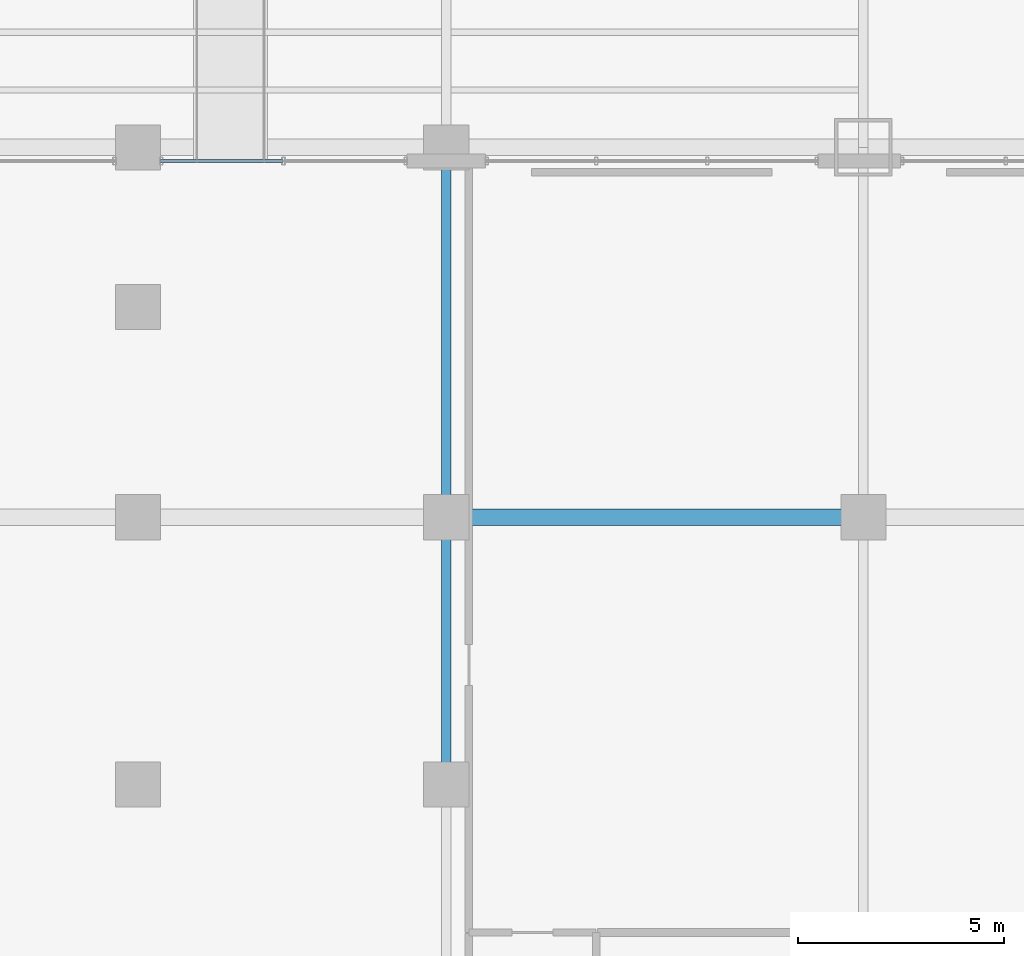
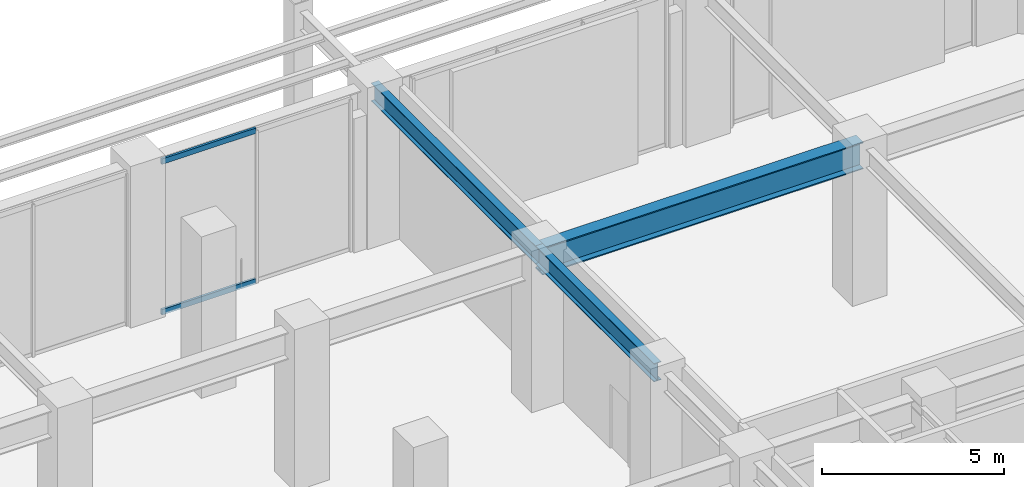
# One storey, part 10 of 23: 3 beams, 2 members, 1 element without a shape of its own.
"""IFC4 building model written with IfcOpenShell, lengths in metres."""

import ifcopenshell
import ifcopenshell.guid

model = None  # the IFC model being written
_history = None  # IfcOwnerHistory: only IFC2X3 demands one
_inside = {}  # id of a spatial element -> (the spatial element, [elements in it])
_under = {}  # id of a project, library or spatial element -> (it, [spatial elements below it])
_declared = {}  # id of a project -> (the project, [libraries it declares])
_typed = {}  # id of a type object -> (the type object, [elements of that type])
_made_of = {}  # id of a material, layer set ... -> (it, [elements and type objects made of it])


def new_model(schema):
    """Start an empty IFC model of exactly this schema.

    Asked for "IFC4X3", IfcOpenShell would pick the latest addendum, in which some entities
    have other attributes; the version numbers below select the first issue.
    IFC2X3 requires an IfcOwnerHistory on every rooted entity: one is made here for all.
    """
    global model, _history
    if schema == "IFC4X3":
        model = ifcopenshell.file(schema_version=(4, 3, 0, 0))
    else:
        model = ifcopenshell.file(schema=schema)
    _inside.clear()
    _under.clear()
    _declared.clear()
    _typed.clear()
    _made_of.clear()
    _history = None
    if model.schema == "IFC2X3":
        org = make("IfcOrganization", Name="unknown")
        user = make(
            "IfcPersonAndOrganization",
            ThePerson=make("IfcPerson", FamilyName="unknown"),
            TheOrganization=org,
        )
        app = make(
            "IfcApplication",
            ApplicationDeveloper=org,
            Version="unknown",
            ApplicationFullName="unknown",
            ApplicationIdentifier="unknown",
        )
        _history = make(
            "IfcOwnerHistory",
            OwningUser=user,
            OwningApplication=app,
            ChangeAction="ADDED",
            CreationDate=0,
        )
    return model


def make(cls, **values):
    """One entity of the class cls with the attributes given. An attribute that is None is left unset."""
    return model.create_entity(
        cls, **{name: value for name, value in values.items() if value is not None}
    )


def rooted(cls, **values):
    """An entity with a GlobalId (a new one), such as an element, a storey or a relation."""
    return make(cls, GlobalId=ifcopenshell.guid.new(), OwnerHistory=_history, **values)


def si_unit(unit_type, name, prefix=None):
    """IfcSIUnit, for example si_unit("LENGTHUNIT", "METRE", prefix="MILLI")."""
    return make("IfcSIUnit", UnitType=unit_type, Prefix=prefix, Name=name)


def assignment(units):
    """IfcUnitAssignment: the units of a project."""
    return None if units is None else make("IfcUnitAssignment", Units=units)


def point(xyz):
    """IfcCartesianPoint."""
    return None if xyz is None else make("IfcCartesianPoint", Coordinates=xyz)


def direction(xyz):
    """IfcDirection."""
    return None if xyz is None else make("IfcDirection", DirectionRatios=xyz)


def frame(location, z_axis=None, x_axis=None):
    """IfcAxis2Placement3D, a coordinate frame: its origin and axes. An axis left out is left unset."""
    return make(
        "IfcAxis2Placement3D",
        Location=point(location),
        Axis=direction(z_axis),
        RefDirection=direction(x_axis),
    )


def frame_2d(location, x_axis=None):
    """IfcAxis2Placement2D, a coordinate frame in the plane: its origin and x axis."""
    return make(
        "IfcAxis2Placement2D", Location=point(location), RefDirection=direction(x_axis)
    )


def origin():
    """The frame at (0, 0, 0) with its axes left unset."""
    return frame((0.0, 0.0, 0.0))


def origin_2d():
    """The frame at (0, 0) in the plane with its x axis left unset."""
    return frame_2d((0.0, 0.0))


def place(relative_to, where):
    """IfcLocalPlacement: puts the frame where relative to a parent placement (None: the world)."""
    return make(
        "IfcLocalPlacement", PlacementRelTo=relative_to, RelativePlacement=where
    )


def context(
    kind, dimensions, precision=None, world=None, true_north=None, identifier=None
):
    """IfcGeometricRepresentationContext, for example the 3D "Model" context."""
    return make(
        "IfcGeometricRepresentationContext",
        ContextIdentifier=identifier,
        ContextType=kind,
        CoordinateSpaceDimension=dimensions,
        Precision=precision,
        WorldCoordinateSystem=world,
        TrueNorth=true_north,
    )


def subcontext(parent, identifier, kind, view, scale=None):
    """IfcGeometricRepresentationSubContext, for example "Body" below "Model"."""
    return make(
        "IfcGeometricRepresentationSubContext",
        ContextIdentifier=identifier,
        ContextType=kind,
        ParentContext=parent,
        TargetScale=scale,
        TargetView=view,
    )


def project(units=None, contexts=None):
    """IfcProject with its units and contexts."""
    return rooted(
        "IfcProject",
        Name="project",
        RepresentationContexts=contexts,
        UnitsInContext=assignment(units),
    )


def spatial(cls, under=None, at=None, **own):
    """A site, building, storey or space (cls), placed at a placement, below another one or the project."""
    s = rooted(cls, ObjectPlacement=at, **own)
    if under is not None:
        _under.setdefault(under.id(), (under, []))[1].append(s)
    return s


def profile(cls, at=None, kind="AREA", **sizes):
    """A parametric profile (cls). Its sizes go by their IFC names, for example OverallWidth=200.0."""
    return make(cls, ProfileType=kind, Position=at, **sizes)


def hollow_rectangle(**sizes):
    """IfcRectangleHollowProfileDef."""
    return profile("IfcRectangleHollowProfileDef", **sizes)


def i_section(**sizes):
    """IfcIShapeProfileDef."""
    return profile("IfcIShapeProfileDef", **sizes)


def extrude(swept, where, along, depth):
    """IfcExtrudedAreaSolid: the profile swept, set in the frame where, extruded along a direction by depth."""
    return make(
        "IfcExtrudedAreaSolid",
        SweptArea=swept,
        Position=where,
        ExtrudedDirection=direction(along),
        Depth=depth,
    )


def shape(context_of_items, identifier, shape_type, items):
    """IfcShapeRepresentation: the items that make up one representation, for example the "Body"."""
    return make(
        "IfcShapeRepresentation",
        ContextOfItems=context_of_items,
        RepresentationIdentifier=identifier,
        RepresentationType=shape_type,
        Items=items,
    )


def material(Name=None, Category=None):
    """IfcMaterial."""
    return make("IfcMaterial", Name=Name, Category=Category)


def material_profile(
    of_material, cross_section, Name=None, Category=None, Priority=None
):
    """IfcMaterialProfile: a cross section and its material."""
    return make(
        "IfcMaterialProfile",
        Name=Name,
        Material=of_material,
        Profile=cross_section,
        Priority=Priority,
        Category=Category,
    )


def profile_set(profiles, Name=None, composite=None):
    """IfcMaterialProfileSet."""
    return make(
        "IfcMaterialProfileSet",
        Name=Name,
        MaterialProfiles=profiles,
        CompositeProfile=composite,
    )


def made_of(thing, what):
    """Note that an element or type object is made of a material, layer set ...; save() writes the relation."""
    if what is not None:
        _made_of.setdefault(what.id(), (what, []))[1].append(thing)
    return thing


def type_object(cls, material=None, **own):
    """A type object (cls), such as IfcWallType, which elements share."""
    return made_of(rooted(cls, **own), material)


def element(
    cls,
    number,
    at=None,
    inside=None,
    cuts=None,
    type_object=None,
    material=None,
    context=None,
    identifier="Body",
    shape_type=None,
    held_by="IfcProductDefinitionShape",
    body=None,
    shapes=None,
    **own,
):
    """One element of the class cls, such as IfcWall. Its Tag is "e" and its number.

    at: its placement. inside: the storey or other place that contains it. cuts: it is an
    opening in that element (IfcRelVoidsElement). A single representation is given by context,
    identifier, shape_type and body (its items); several are given by shapes. held_by: the class
    of the entity that holds the representations. save() writes the other relations.
    """
    e = rooted(cls, Tag="e%d" % number, ObjectPlacement=at, **own)
    if body is not None:
        shapes = [shape(context, identifier, shape_type, body)]
    if shapes is not None:
        e.Representation = make(held_by, Representations=shapes)
    if inside is not None:
        _inside.setdefault(inside.id(), (inside, []))[1].append(e)
    if cuts is not None:
        rooted(
            "IfcRelVoidsElement", RelatingBuildingElement=cuts, RelatedOpeningElement=e
        )
    if type_object is not None:
        _typed.setdefault(type_object.id(), (type_object, []))[1].append(e)
    return made_of(e, material)


def aggregate(whole, parts):
    """IfcRelAggregates: a whole, such as a stair, and the parts it consists of."""
    return rooted("IfcRelAggregates", RelatingObject=whole, RelatedObjects=parts)


def save(model, path):
    """Write the relations noted so far, then the file.

    IfcRelAggregates (storeys below a building ...), IfcRelContainedInSpatialStructure (elements
    in a storey), IfcRelDefinesByType, IfcRelAssociatesMaterial and IfcRelDeclares: one each for
    every whole, place, type object, material and project.
    """
    for whole, parts in _under.values():
        aggregate(whole, parts)
    for where, things in _inside.values():
        rooted(
            "IfcRelContainedInSpatialStructure",
            RelatedElements=things,
            RelatingStructure=where,
        )
    for kind, things in _typed.values():
        rooted("IfcRelDefinesByType", RelatedObjects=things, RelatingType=kind)
    for what, things in _made_of.values():
        rooted("IfcRelAssociatesMaterial", RelatedObjects=things, RelatingMaterial=what)
    for by, libraries in _declared.values():
        rooted("IfcRelDeclares", RelatingContext=by, RelatedDefinitions=libraries)
    model.write(path)


model = new_model("IFC4")

# Units and contexts
model_context = context("Model", 3, precision=1e-05, world=origin(), true_north=direction((0.0, 1.0)))
body_context = subcontext(model_context, "Body", "Model", "MODEL_VIEW")
ifc_project = project(units=[si_unit("LENGTHUNIT", "METRE"), si_unit("AREAUNIT", "SQUARE_METRE"), si_unit("VOLUMEUNIT", "CUBIC_METRE"), si_unit("PLANEANGLEUNIT", "RADIAN"), si_unit("MASSUNIT", "GRAM", prefix="KILO")], contexts=[model_context])

# Site, building, storey
site_placement = place(None, origin())
site = spatial("IfcSite", under=ifc_project, at=site_placement, CompositionType="ELEMENT")
building_placement = place(site_placement, origin())
building = spatial("IfcBuilding", under=site, at=building_placement, Name="Ventersveld Concourse Tower", CompositionType="ELEMENT")
storey_placement = place(building_placement, origin())
storey = spatial("IfcBuildingStorey", under=building, at=storey_placement, Name="L00", CompositionType="ELEMENT", Elevation=0.0)

# Curtain wall, members
ifc_material_1 = material(Name="Anodised aluminium EN AW-6063-T6", Category="aluminium")
curtain_wall_type = type_object("IfcCurtainWallType", Name="CW-CONC-1", PredefinedType="NOTDEFINED", material=ifc_material_1)
curtain_wall_placement = place(storey_placement, origin())
curtain_wall = element("IfcCurtainWall", 1, at=curtain_wall_placement, inside=storey, type_object=curtain_wall_type, Name="L00 Station Concourse North Storefront 3", PredefinedType="NOTDEFINED")
ifc_material_profile_1 = material_profile(ifc_material_1, hollow_rectangle(XDim=0.074951171875, YDim=0.179931640625, WallThickness=0.00390625, at=origin_2d()), Name="ALU 180x75x4")
ifc_profile_set_1 = profile_set([ifc_material_profile_1], Name="Anodised aluminium EN AW-6063-T6")
member_type = type_object("IfcMemberType", Name="CWT-180x75", PredefinedType="USERDEFINED", material=ifc_profile_set_1)
member_1_placement = place(storey_placement, frame((36.800048828125, 43.669921875, 0.030029296875), z_axis=(1.0, 0.0, 0.0), x_axis=(0.0, 1.0, 0.0)))
member_1 = element("IfcMember", 2, at=member_1_placement, type_object=member_type, Name="CW-L00-N3-S2 Transom 1-01", ObjectType="TRANSOM", PredefinedType="USERDEFINED", context=body_context, shape_type="SweptSolid", body=[
    extrude(hollow_rectangle(XDim=0.074951171875, YDim=0.179931640625, WallThickness=0.00390625, at=origin_2d()), origin(), (0.0, 0.0, 1.0), 2.97998046875),
])
member_2_placement = place(storey_placement, frame((36.800048828125, 43.669921875, 5.070068359375), z_axis=(1.0, 0.0, 0.0), x_axis=(0.0, 1.0, 0.0)))
member_2 = element("IfcMember", 3, at=member_2_placement, type_object=member_type, Name="CW-L00-N3-S2 Transom 2-01", ObjectType="TRANSOM", PredefinedType="USERDEFINED", context=body_context, shape_type="SweptSolid", body=[
    extrude(hollow_rectangle(XDim=0.074951171875, YDim=0.179931640625, WallThickness=0.00390625, at=origin_2d()), origin(), (0.0, 0.0, 1.0), 2.97998046875),
])
aggregate(curtain_wall, [member_1, member_2])

# Beams
ifc_material_2 = material(Name="Structural steel S355J2", Category="steel")
ifc_material_profile_2 = material_profile(ifc_material_2, i_section(OverallWidth=0.39990234375, OverallDepth=0.89990234375, WebThickness=0.02197265625, FlangeThickness=0.035888671875, at=origin_2d()), Name="PG 900x400x36")
ifc_profile_set_2 = profile_set([ifc_material_profile_2], Name="Structural steel S355J2")
beam_type_1 = type_object("IfcBeamType", Name="GRD-PG900", PredefinedType="USERDEFINED", material=ifc_profile_set_2)
beam_1_placement = place(storey_placement, frame((43.75, 35.0, 4.64990234375), z_axis=(1.0, 0.0, 0.0), x_axis=(0.0, 1.0, 0.0)))
element("IfcBeam", 4, at=beam_1_placement, inside=storey, type_object=beam_type_1, Name="L00 Podium Primary Girder Y=35.0m", ObjectType="GIRDER", PredefinedType="USERDEFINED", context=body_context, shape_type="SweptSolid", body=[
    extrude(i_section(OverallWidth=0.39990234375, OverallDepth=0.89990234375, WebThickness=0.02197265625, FlangeThickness=0.035888671875, at=origin_2d()), origin(), (0.0, 0.0, 1.0), 10.14990234375),
])
ifc_material_profile_3 = material_profile(ifc_material_2, i_section(OverallWidth=0.230224609375, OverallDepth=0.6171875, WebThickness=0.01318359375, FlangeThickness=0.022216796875, FilletRadius=0.0126953125, at=origin_2d()), Name="UB 610x229x140")
ifc_profile_set_3 = profile_set([ifc_material_profile_3], Name="Structural steel S355J2")
beam_type_2 = type_object("IfcBeamType", Name="GRD-UB610", PredefinedType="USERDEFINED", material=ifc_profile_set_3)
beam_2_placement = place(storey_placement, frame((43.75, 28.5, 4.79150390625), z_axis=(0.0, 1.0, 0.0), x_axis=(-1.0, 0.0, 0.0)))
element("IfcBeam", 5, at=beam_2_placement, inside=storey, type_object=beam_type_2, Name="L00 Podium N-S Girder X=43.75m", ObjectType="GIRDER", PredefinedType="USERDEFINED", context=body_context, shape_type="SweptSolid", body=[
    extrude(i_section(OverallWidth=0.230224609375, OverallDepth=0.6171875, WebThickness=0.01318359375, FlangeThickness=0.022216796875, FilletRadius=0.0126953125, at=origin_2d()), origin(), (0.0, 0.0, 1.0), 6.5),
])
beam_3_placement = place(storey_placement, frame((43.75, 35.0, 4.79150390625), z_axis=(0.0, 1.0, 0.0), x_axis=(-1.0, 0.0, 0.0)))
element("IfcBeam", 6, at=beam_3_placement, inside=storey, type_object=beam_type_2, Name="L00 Podium N-S Girder X=43.75m", ObjectType="GIRDER", PredefinedType="USERDEFINED", context=body_context, shape_type="SweptSolid", body=[
    extrude(i_section(OverallWidth=0.230224609375, OverallDepth=0.6171875, WebThickness=0.01318359375, FlangeThickness=0.022216796875, FilletRadius=0.0126953125, at=origin_2d()), origin(), (0.0, 0.0, 1.0), 9.0),
])

save(model, "model.ifc")
